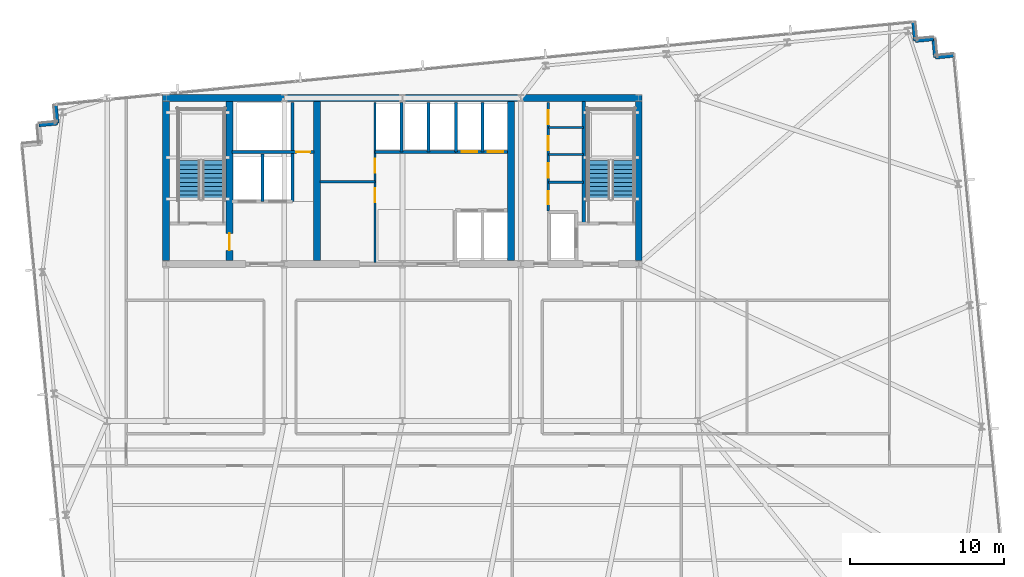
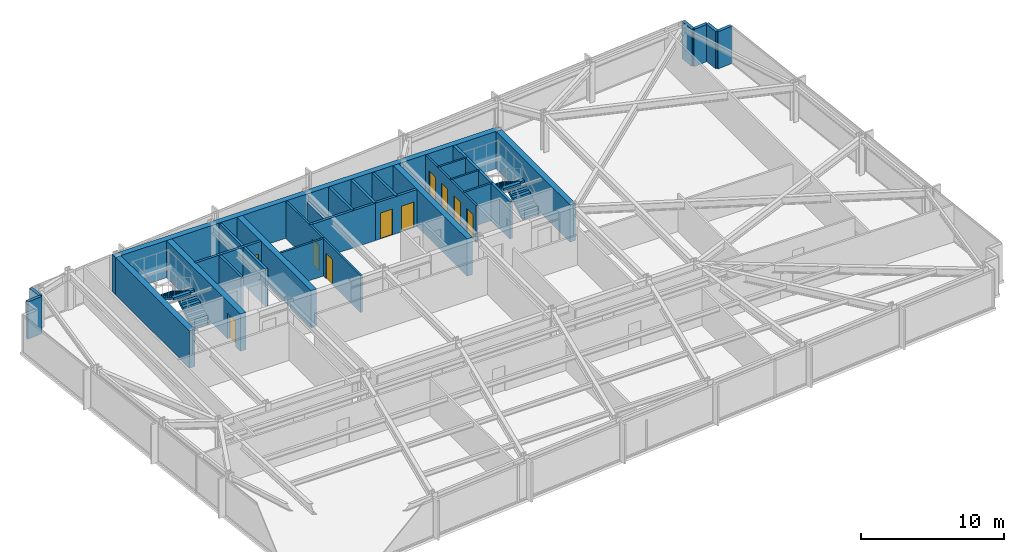
# One storey, part 26 of 32: 28 walls, 10 doors, 4 stair flights, 10 openings, 2 elements without a shape of their own.
"""IFC4 building model written with IfcOpenShell, lengths in metres."""

import ifcopenshell
import ifcopenshell.guid

model = None  # the IFC model being written
_history = None  # IfcOwnerHistory: only IFC2X3 demands one
_inside = {}  # id of a spatial element -> (the spatial element, [elements in it])
_under = {}  # id of a project, library or spatial element -> (it, [spatial elements below it])
_declared = {}  # id of a project -> (the project, [libraries it declares])
_typed = {}  # id of a type object -> (the type object, [elements of that type])
_made_of = {}  # id of a material, layer set ... -> (it, [elements and type objects made of it])


def new_model(schema):
    """Start an empty IFC model of exactly this schema.

    Asked for "IFC4X3", IfcOpenShell would pick the latest addendum, in which some entities
    have other attributes; the version numbers below select the first issue.
    IFC2X3 requires an IfcOwnerHistory on every rooted entity: one is made here for all.
    """
    global model, _history
    if schema == "IFC4X3":
        model = ifcopenshell.file(schema_version=(4, 3, 0, 0))
    else:
        model = ifcopenshell.file(schema=schema)
    _inside.clear()
    _under.clear()
    _declared.clear()
    _typed.clear()
    _made_of.clear()
    _history = None
    if model.schema == "IFC2X3":
        org = make("IfcOrganization", Name="unknown")
        user = make(
            "IfcPersonAndOrganization",
            ThePerson=make("IfcPerson", FamilyName="unknown"),
            TheOrganization=org,
        )
        app = make(
            "IfcApplication",
            ApplicationDeveloper=org,
            Version="unknown",
            ApplicationFullName="unknown",
            ApplicationIdentifier="unknown",
        )
        _history = make(
            "IfcOwnerHistory",
            OwningUser=user,
            OwningApplication=app,
            ChangeAction="ADDED",
            CreationDate=0,
        )
    return model


def make(cls, **values):
    """One entity of the class cls with the attributes given. An attribute that is None is left unset."""
    return model.create_entity(
        cls, **{name: value for name, value in values.items() if value is not None}
    )


def rooted(cls, **values):
    """An entity with a GlobalId (a new one), such as an element, a storey or a relation."""
    return make(cls, GlobalId=ifcopenshell.guid.new(), OwnerHistory=_history, **values)


def si_unit(unit_type, name, prefix=None):
    """IfcSIUnit, for example si_unit("LENGTHUNIT", "METRE", prefix="MILLI")."""
    return make("IfcSIUnit", UnitType=unit_type, Prefix=prefix, Name=name)


def assignment(units):
    """IfcUnitAssignment: the units of a project."""
    return None if units is None else make("IfcUnitAssignment", Units=units)


def point(xyz):
    """IfcCartesianPoint."""
    return None if xyz is None else make("IfcCartesianPoint", Coordinates=xyz)


def direction(xyz):
    """IfcDirection."""
    return None if xyz is None else make("IfcDirection", DirectionRatios=xyz)


def frame(location, z_axis=None, x_axis=None):
    """IfcAxis2Placement3D, a coordinate frame: its origin and axes. An axis left out is left unset."""
    return make(
        "IfcAxis2Placement3D",
        Location=point(location),
        Axis=direction(z_axis),
        RefDirection=direction(x_axis),
    )


def frame_2d(location, x_axis=None):
    """IfcAxis2Placement2D, a coordinate frame in the plane: its origin and x axis."""
    return make(
        "IfcAxis2Placement2D", Location=point(location), RefDirection=direction(x_axis)
    )


def origin():
    """The frame at (0, 0, 0) with its axes left unset."""
    return frame((0.0, 0.0, 0.0))


def place(relative_to, where):
    """IfcLocalPlacement: puts the frame where relative to a parent placement (None: the world)."""
    return make(
        "IfcLocalPlacement", PlacementRelTo=relative_to, RelativePlacement=where
    )


def context(
    kind, dimensions, precision=None, world=None, true_north=None, identifier=None
):
    """IfcGeometricRepresentationContext, for example the 3D "Model" context."""
    return make(
        "IfcGeometricRepresentationContext",
        ContextIdentifier=identifier,
        ContextType=kind,
        CoordinateSpaceDimension=dimensions,
        Precision=precision,
        WorldCoordinateSystem=world,
        TrueNorth=true_north,
    )


def subcontext(parent, identifier, kind, view, scale=None):
    """IfcGeometricRepresentationSubContext, for example "Body" below "Model"."""
    return make(
        "IfcGeometricRepresentationSubContext",
        ContextIdentifier=identifier,
        ContextType=kind,
        ParentContext=parent,
        TargetScale=scale,
        TargetView=view,
    )


def project(units=None, contexts=None):
    """IfcProject with its units and contexts."""
    return rooted(
        "IfcProject",
        Name="project",
        RepresentationContexts=contexts,
        UnitsInContext=assignment(units),
    )


def spatial(cls, under=None, at=None, **own):
    """A site, building, storey or space (cls), placed at a placement, below another one or the project."""
    s = rooted(cls, ObjectPlacement=at, **own)
    if under is not None:
        _under.setdefault(under.id(), (under, []))[1].append(s)
    return s


def polyline(points):
    """IfcPolyline through the points."""
    return make("IfcPolyline", Points=[point(p) for p in points])


def profile(cls, at=None, kind="AREA", **sizes):
    """A parametric profile (cls). Its sizes go by their IFC names, for example OverallWidth=200.0."""
    return make(cls, ProfileType=kind, Position=at, **sizes)


def rectangle(**sizes):
    """IfcRectangleProfileDef."""
    return profile("IfcRectangleProfileDef", **sizes)


def outline(outer, holes=None, kind="AREA"):
    """IfcArbitraryClosedProfileDef: a profile drawn as a closed curve; with holes, ...WithVoids."""
    if holes is None:
        return make("IfcArbitraryClosedProfileDef", ProfileType=kind, OuterCurve=outer)
    return make(
        "IfcArbitraryProfileDefWithVoids",
        ProfileType=kind,
        OuterCurve=outer,
        InnerCurves=holes,
    )


def extrude(swept, where, along, depth):
    """IfcExtrudedAreaSolid: the profile swept, set in the frame where, extruded along a direction by depth."""
    return make(
        "IfcExtrudedAreaSolid",
        SweptArea=swept,
        Position=where,
        ExtrudedDirection=direction(along),
        Depth=depth,
    )


def shape(context_of_items, identifier, shape_type, items):
    """IfcShapeRepresentation: the items that make up one representation, for example the "Body"."""
    return make(
        "IfcShapeRepresentation",
        ContextOfItems=context_of_items,
        RepresentationIdentifier=identifier,
        RepresentationType=shape_type,
        Items=items,
    )


def material(Name=None, Category=None):
    """IfcMaterial."""
    return make("IfcMaterial", Name=Name, Category=Category)


def layer(
    of_material, thickness, ventilated=None, Name=None, Category=None, Priority=None
):
    """IfcMaterialLayer: one layer of a wall or slab, of a material (None: an air gap)."""
    return make(
        "IfcMaterialLayer",
        Material=of_material,
        LayerThickness=thickness,
        IsVentilated=ventilated,
        Name=Name,
        Category=Category,
        Priority=Priority,
    )


def layer_set(layers, Name=None):
    """IfcMaterialLayerSet."""
    return make("IfcMaterialLayerSet", MaterialLayers=layers, LayerSetName=Name)


def made_of(thing, what):
    """Note that an element or type object is made of a material, layer set ...; save() writes the relation."""
    if what is not None:
        _made_of.setdefault(what.id(), (what, []))[1].append(thing)
    return thing


def type_object(cls, material=None, **own):
    """A type object (cls), such as IfcWallType, which elements share."""
    return made_of(rooted(cls, **own), material)


def element(
    cls,
    number,
    at=None,
    inside=None,
    cuts=None,
    type_object=None,
    material=None,
    context=None,
    identifier="Body",
    shape_type=None,
    held_by="IfcProductDefinitionShape",
    body=None,
    shapes=None,
    **own,
):
    """One element of the class cls, such as IfcWall. Its Tag is "e" and its number.

    at: its placement. inside: the storey or other place that contains it. cuts: it is an
    opening in that element (IfcRelVoidsElement). A single representation is given by context,
    identifier, shape_type and body (its items); several are given by shapes. held_by: the class
    of the entity that holds the representations. save() writes the other relations.
    """
    e = rooted(cls, Tag="e%d" % number, ObjectPlacement=at, **own)
    if body is not None:
        shapes = [shape(context, identifier, shape_type, body)]
    if shapes is not None:
        e.Representation = make(held_by, Representations=shapes)
    if inside is not None:
        _inside.setdefault(inside.id(), (inside, []))[1].append(e)
    if cuts is not None:
        rooted(
            "IfcRelVoidsElement", RelatingBuildingElement=cuts, RelatedOpeningElement=e
        )
    if type_object is not None:
        _typed.setdefault(type_object.id(), (type_object, []))[1].append(e)
    return made_of(e, material)


def fill(opening, filler):
    """IfcRelFillsElement: the door or window that sits in an opening."""
    return rooted(
        "IfcRelFillsElement",
        RelatingOpeningElement=opening,
        RelatedBuildingElement=filler,
    )


def aggregate(whole, parts):
    """IfcRelAggregates: a whole, such as a stair, and the parts it consists of."""
    return rooted("IfcRelAggregates", RelatingObject=whole, RelatedObjects=parts)


def save(model, path):
    """Write the relations noted so far, then the file.

    IfcRelAggregates (storeys below a building ...), IfcRelContainedInSpatialStructure (elements
    in a storey), IfcRelDefinesByType, IfcRelAssociatesMaterial and IfcRelDeclares: one each for
    every whole, place, type object, material and project.
    """
    for whole, parts in _under.values():
        aggregate(whole, parts)
    for where, things in _inside.values():
        rooted(
            "IfcRelContainedInSpatialStructure",
            RelatedElements=things,
            RelatingStructure=where,
        )
    for kind, things in _typed.values():
        rooted("IfcRelDefinesByType", RelatedObjects=things, RelatingType=kind)
    for what, things in _made_of.values():
        rooted("IfcRelAssociatesMaterial", RelatedObjects=things, RelatingMaterial=what)
    for by, libraries in _declared.values():
        rooted("IfcRelDeclares", RelatingContext=by, RelatedDefinitions=libraries)
    model.write(path)


model = new_model("IFC4")

# Units and contexts
model_context = context("Model", 3, precision=1e-05, world=origin(), true_north=direction((0.0, 1.0)))
body_context = subcontext(model_context, "Body", "Model", "MODEL_VIEW")
ifc_project = project(units=[si_unit("LENGTHUNIT", "METRE"), si_unit("AREAUNIT", "SQUARE_METRE"), si_unit("VOLUMEUNIT", "CUBIC_METRE"), si_unit("PLANEANGLEUNIT", "RADIAN"), si_unit("MASSUNIT", "GRAM", prefix="KILO")], contexts=[model_context])

# Site, building, storey
site_placement = place(None, origin())
site = spatial("IfcSite", under=ifc_project, at=site_placement, CompositionType="ELEMENT")
building_placement = place(site_placement, origin())
building = spatial("IfcBuilding", under=site, at=building_placement, Name="Yelkora Congress Tower", CompositionType="ELEMENT")
storey_placement = place(building_placement, frame((0.0, 0.0, 96.5)))
storey = spatial("IfcBuildingStorey", under=building, at=storey_placement, Name="L25", CompositionType="ELEMENT", Elevation=96.5)

# Walls
ifc_material_1 = material(Name="Concrete C50/60", Category="concrete")
ifc_layer_1 = layer(ifc_material_1, 0.219970703125)
ifc_layer_set_1 = layer_set([ifc_layer_1], Name="Concrete C50/60")
wall_type_1 = type_object("IfcWallType", Name="WALL-CORE-INT-220", PredefinedType="SHEAR", material=ifc_layer_set_1)
wall_1_placement = place(storey_placement, frame((50.179931640625, 38.050048828125, 0.0), z_axis=(0.0, 0.0, 1.0), x_axis=(0.0, 1.0, 0.0)))
element("IfcWall", 1, at=wall_1_placement, inside=storey, type_object=wall_type_1, Name="L25 ST02 West Stair Shear Wall", PredefinedType="SHEAR", context=body_context, shape_type="SweptSolid", body=[
    extrude(rectangle(XDim=7.925048828125, YDim=0.219970703125, at=frame_2d((3.96240234375, 0.0))), origin(), (0.0, 0.0, 1.0), 3.179931640625),
])
ifc_material_2 = material(Name="Concrete C60/75", Category="concrete")
ifc_layer_2 = layer(ifc_material_2, 0.449951171875)
ifc_layer_set_2 = layer_set([ifc_layer_2], Name="Concrete C60/75")
wall_type_2 = type_object("IfcWallType", Name="WALL-CORE-INT-450", PredefinedType="SHEAR", material=ifc_layer_set_2)
wall_2_placement = place(storey_placement, frame((22.81494140625, 46.199951171875, 0.0), z_axis=(0.0, 0.0, 1.0), x_axis=(1.0, 0.0, 0.0)))
element("IfcWall", 2, at=wall_2_placement, inside=storey, type_object=wall_type_2, Name="L25 Rear Core North Shear Wall", PredefinedType="SHEAR", context=body_context, shape_type="SweptSolid", body=[
    extrude(rectangle(XDim=31.170166015625, YDim=0.449951171875, at=frame_2d((15.5849609375, 0.0))), origin(), (0.0, 0.0, 1.0), 3.179931640625),
])
wall_3_placement = place(storey_placement, frame((23.0400390625, 35.625, 0.0), z_axis=(0.0, 0.0, 1.0), x_axis=(0.0, 1.0, 0.0)))
element("IfcWall", 3, at=wall_3_placement, inside=storey, type_object=wall_type_2, Name="L25 Rear Core Cross Shear Wall W", PredefinedType="SHEAR", context=body_context, shape_type="SweptSolid", body=[
    extrude(rectangle(XDim=10.35009765625, YDim=0.449951171875, at=frame_2d((5.175048828125, 0.0))), origin(), (0.0, 0.0, 1.0), 3.179931640625),
])

# Wall, opening, door
wall_4_placement = place(storey_placement, frame((27.14990234375, 35.625, 0.0), z_axis=(0.0, 0.0, 1.0), x_axis=(0.0, 1.0, 0.0)))
wall_4 = element("IfcWall", 4, at=wall_4_placement, inside=storey, type_object=wall_type_2, Name="L25 Rear Core Cross Shear Wall C1", PredefinedType="SHEAR", context=body_context, shape_type="SweptSolid", body=[
    extrude(rectangle(XDim=10.35009765625, YDim=0.449951171875, at=frame_2d((5.175048828125, 0.0))), origin(), (0.0, 0.0, 1.0), 3.179931640625),
])
opening_1_placement = place(wall_4_placement, frame((0.675048828125, 0.0, 0.0)))
opening_1 = element("IfcOpeningElement", 5, at=opening_1_placement, cuts=wall_4, Name="Opening DR-110F9", PredefinedType="OPENING", context=body_context, shape_type="SweptSolid", body=[
    extrude(rectangle(XDim=1.10009765625, YDim=2.14990234375, at=frame_2d((0.550048828125, 1.074951171875))), frame((0.0, 0.23486328125, 0.0), z_axis=(0.0, -1.0, 0.0), x_axis=(1.0, 0.0, 0.0)), (0.0, 0.0, 1.0), 0.469970703125),
])
ifc_material_3 = material(Name="Galvanised steel fire door leaf", Category="steel")
door_type_1 = type_object("IfcDoorType", Name="DOOR-FD90-1100", OperationType="NOTDEFINED", PredefinedType="DOOR", material=ifc_material_3)
door_1_placement = place(opening_1_placement, origin())
door_1 = element("IfcDoor", 6, at=door_1_placement, inside=storey, type_object=door_type_1, Name="L25 Firefighting Stair Transfer Door", OperationType="SINGLE_SWING_LEFT", OverallHeight=2.14990234375, OverallWidth=1.10009765625, PredefinedType="DOOR", context=body_context, shape_type="SweptSolid", body=[
    extrude(rectangle(XDim=1.10009765625, YDim=2.14990234375, at=frame_2d((0.550048828125, 1.074951171875))), frame((0.0, 0.02490234375, 0.0), z_axis=(0.0, -1.0, 0.0), x_axis=(1.0, 0.0, 0.0)), (0.0, 0.0, 1.0), 0.050048828125),
])
fill(opening_1, door_1)

# Walls
for number, where, z_axis, x_axis, name in (
    (7, (32.85009765625, 35.625, 0.0), (0.0, 0.0, 1.0), (0.0, 1.0, 0.0), "L25 Rear Core Cross Shear Wall C2"),
    (8, (45.449951171875, 35.625, 0.0), (0.0, 0.0, 1.0), (0.0, 1.0, 0.0), "L25 Rear Core Cross Shear Wall C3"),
    (9, (53.760009765625, 35.625, 0.0), (0.0, 0.0, 1.0), (0.0, 1.0, 0.0), "L25 Rear Core Cross Shear Wall E"),
):
    element("IfcWall", number, at=place(storey_placement, frame(where, z_axis=z_axis, x_axis=x_axis)), inside=storey, type_object=wall_type_2, Name=name, PredefinedType="SHEAR", context=body_context, shape_type="SweptSolid", body=[
        extrude(rectangle(XDim=10.35009765625, YDim=0.449951171875, at=frame_2d((5.175048828125, 0.0))), origin(), (0.0, 0.0, 1.0), 3.179931640625),
    ])
ifc_material_4 = material(Name="Concrete C40/50", Category="concrete")
ifc_layer_3 = layer(ifc_material_4, 0.239990234375)
ifc_layer_set_3 = layer_set([ifc_layer_3], Name="Concrete C40/50")
wall_type_3 = type_object("IfcWallType", Name="WALL-EXT-LIMESTONE-240", PredefinedType="SOLIDWALL", material=ifc_layer_set_3)
for number, where, z_axis, x_axis, name in (
    (10, (14.7705078125, 44.436279296875, 0.0), (0.0, 0.0, 1.0), (0.995397091755, 0.095836473879, 0.0), "L25 Serrated Corner Limestone Pier 8"),
    (11, (15.96484375, 44.55126953125, 0.0), (0.0, 0.0, 1.0), (-0.095836473879, 0.995397091755, 0.0), "L25 Serrated Corner Limestone Pier 9"),
):
    element("IfcWall", number, at=place(storey_placement, frame(where, z_axis=z_axis, x_axis=x_axis)), inside=storey, type_object=wall_type_3, Name=name, PredefinedType="SOLIDWALL", context=body_context, shape_type="SweptSolid", body=[
        extrude(rectangle(XDim=1.199951171875, YDim=0.239990234375, at=frame_2d((0.60009765625, 0.0))), origin(), (0.0, 0.0, 1.0), 3.179931640625),
    ])
for number, where, z_axis, x_axis, name in (
    (12, (71.61181640625, 51.114990234375, 0.0), (0.0, 0.0, 1.0), (0.095817067274, -0.995398960025, 0.0), "L25 Serrated Corner Limestone Pier 11"),
    (13, (71.726806640625, 49.92041015625, 0.0), (0.0, 0.0, 1.0), (0.995398960025, 0.095817067274, 0.0), "L25 Serrated Corner Limestone Pier 12"),
    (14, (72.92138671875, 50.035400390625, 0.0), (0.0, 0.0, 1.0), (0.095817067274, -0.995398960025, 0.0), "L25 Serrated Corner Limestone Pier 13"),
    (15, (73.036376953125, 48.8408203125, 0.0), (0.0, 0.0, 1.0), (0.995379537303, 0.096018626938, 0.0), "L25 Serrated Corner Limestone Pier 14"),
):
    element("IfcWall", number, at=place(storey_placement, frame(where, z_axis=z_axis, x_axis=x_axis)), inside=storey, type_object=wall_type_3, Name=name, PredefinedType="SOLIDWALL", context=body_context, shape_type="SweptSolid", body=[
        extrude(rectangle(XDim=1.2001953125, YDim=0.239990234375, at=frame_2d((0.60009765625, 0.0))), origin(), (0.0, 0.0, 1.0), 3.179931640625),
    ])
ifc_material_5 = material(Name="Acoustic metal-stud gypsum partition", Category="gypsum")
ifc_layer_4 = layer(ifc_material_5, 0.14990234375)
ifc_layer_set_4 = layer_set([ifc_layer_4], Name="Acoustic metal-stud gypsum partition")
wall_type_4 = type_object("IfcWallType", Name="WALL-INT-150-NR", PredefinedType="PARTITIONING", material=ifc_layer_set_4)
for number, where, z_axis, x_axis, name in (
    (16, (47.8798828125, 40.719970703125, 0.0), (0.0, 0.0, 1.0), (1.0, 0.0, 0.0), "L25 Partition Wall 24"),
    (17, (47.8798828125, 42.52001953125, 0.0), (0.0, 0.0, 1.0), (1.0, 0.0, 0.0), "L25 Partition Wall 25"),
    (18, (47.8798828125, 44.280029296875, 0.0), (0.0, 0.0, 1.0), (1.0, 0.0, 0.0), "L25 Partition Wall 26"),
):
    element("IfcWall", number, at=place(storey_placement, frame(where, z_axis=z_axis, x_axis=x_axis)), inside=storey, type_object=wall_type_4, Name=name, PredefinedType="PARTITIONING", context=body_context, shape_type="SweptSolid", body=[
        extrude(rectangle(XDim=2.300048828125, YDim=0.14990234375, at=frame_2d((1.14990234375, 0.0))), origin(), (0.0, 0.0, 1.0), 3.179931640625),
    ])

# Wall, openings, doors
wall_5_placement = place(storey_placement, frame((47.8798828125, 38.85009765625, 0.0), z_axis=(0.0, 0.0, 1.0), x_axis=(0.0, 1.0, 0.0)))
wall_5 = element("IfcWall", 19, at=wall_5_placement, inside=storey, type_object=wall_type_4, Name="L25 Partition Wall 27", PredefinedType="PARTITIONING", context=body_context, shape_type="SweptSolid", body=[
    extrude(rectangle(XDim=7.06982421875, YDim=0.14990234375, at=frame_2d((3.534912109375, 0.0))), origin(), (0.0, 0.0, 1.0), 3.179931640625),
])
opening_2_placement = place(wall_5_placement, frame((0.449951171875, 0.0, 0.0)))
opening_2 = element("IfcOpeningElement", 20, at=opening_2_placement, cuts=wall_5, Name="Opening DR-085N", PredefinedType="OPENING", context=body_context, shape_type="SweptSolid", body=[
    extrude(rectangle(XDim=0.85009765625, YDim=2.14990234375, at=frame_2d((0.425048828125, 1.074951171875))), frame((0.0, 0.0849609375, 0.0), z_axis=(0.0, -1.0, 0.0), x_axis=(1.0, 0.0, 0.0)), (0.0, 0.0, 1.0), 0.169921875),
])
opening_3_placement = place(wall_5_placement, frame((2.14990234375, 0.0, 0.0)))
opening_3 = element("IfcOpeningElement", 21, at=opening_3_placement, cuts=wall_5, Name="Opening DR-095N", PredefinedType="OPENING", context=body_context, shape_type="SweptSolid", body=[
    extrude(rectangle(XDim=0.949951171875, YDim=2.14990234375, at=frame_2d((0.47509765625, 1.074951171875))), frame((0.0, 0.0849609375, 0.0), z_axis=(0.0, -1.0, 0.0), x_axis=(1.0, 0.0, 0.0)), (0.0, 0.0, 1.0), 0.169921875),
])
opening_4_placement = place(wall_5_placement, frame((3.949951171875, 0.0, 0.0)))
opening_4 = element("IfcOpeningElement", 22, at=opening_4_placement, cuts=wall_5, Name="Opening DR-090N", PredefinedType="OPENING", context=body_context, shape_type="SweptSolid", body=[
    extrude(rectangle(XDim=0.89990234375, YDim=2.14990234375, at=frame_2d((0.449951171875, 1.074951171875))), frame((0.0, 0.0849609375, 0.0), z_axis=(0.0, -1.0, 0.0), x_axis=(1.0, 0.0, 0.0)), (0.0, 0.0, 1.0), 0.169921875),
])
opening_5_placement = place(wall_5_placement, frame((5.64990234375, 0.0, 0.0)))
opening_5 = element("IfcOpeningElement", 23, at=opening_5_placement, cuts=wall_5, Name="Opening DR-090N", PredefinedType="OPENING", context=body_context, shape_type="SweptSolid", body=[
    extrude(rectangle(XDim=0.89990234375, YDim=2.14990234375, at=frame_2d((0.449951171875, 1.074951171875))), frame((0.0, 0.0849609375, 0.0), z_axis=(0.0, -1.0, 0.0), x_axis=(1.0, 0.0, 0.0)), (0.0, 0.0, 1.0), 0.169921875),
])
ifc_material_6 = material(Name="Laminate service store door leaf", Category="wood")
door_type_2 = type_object("IfcDoorType", Name="DOOR-INT-850", OperationType="NOTDEFINED", PredefinedType="DOOR", material=ifc_material_6)
door_2_placement = place(opening_2_placement, origin())
door_2 = element("IfcDoor", 24, at=door_2_placement, inside=storey, type_object=door_type_2, Name="L25 Janitor Room Door", OperationType="SINGLE_SWING_RIGHT", OverallHeight=2.14990234375, OverallWidth=0.85009765625, PredefinedType="DOOR", context=body_context, shape_type="SweptSolid", body=[
    extrude(rectangle(XDim=0.85009765625, YDim=2.14990234375, at=frame_2d((0.425048828125, 1.074951171875))), frame((0.0, 0.02490234375, 0.0), z_axis=(0.0, -1.0, 0.0), x_axis=(1.0, 0.0, 0.0)), (0.0, 0.0, 1.0), 0.050048828125),
])
fill(opening_2, door_2)
ifc_material_7 = material(Name="Moisture-resistant laminate door leaf", Category="wood")
door_type_3 = type_object("IfcDoorType", Name="DOOR-INT-900", OperationType="NOTDEFINED", PredefinedType="DOOR", material=ifc_material_7)
door_3_placement = place(opening_4_placement, origin())
door_3 = element("IfcDoor", 25, at=door_3_placement, inside=storey, type_object=door_type_3, Name="L25 Male WC Door", OperationType="SINGLE_SWING_RIGHT", OverallHeight=2.14990234375, OverallWidth=0.89990234375, PredefinedType="DOOR", context=body_context, shape_type="SweptSolid", body=[
    extrude(rectangle(XDim=0.89990234375, YDim=2.14990234375, at=frame_2d((0.449951171875, 1.074951171875))), frame((0.0, 0.02490234375, 0.0), z_axis=(0.0, -1.0, 0.0), x_axis=(1.0, 0.0, 0.0)), (0.0, 0.0, 1.0), 0.050048828125),
])
fill(opening_4, door_3)
door_4_placement = place(opening_5_placement, origin())
door_4 = element("IfcDoor", 26, at=door_4_placement, inside=storey, type_object=door_type_3, Name="L25 Female WC Door", OperationType="SINGLE_SWING_LEFT", OverallHeight=2.14990234375, OverallWidth=0.89990234375, PredefinedType="DOOR", context=body_context, shape_type="SweptSolid", body=[
    extrude(rectangle(XDim=0.89990234375, YDim=2.14990234375, at=frame_2d((0.449951171875, 1.074951171875))), frame((0.0, 0.02490234375, 0.0), z_axis=(0.0, -1.0, 0.0), x_axis=(1.0, 0.0, 0.0)), (0.0, 0.0, 1.0), 0.050048828125),
])
fill(opening_5, door_4)
ifc_material_8 = material(Name="Acoustic laminated timber office door", Category="wood")
door_type_4 = type_object("IfcDoorType", Name="DOOR-INT-950", OperationType="NOTDEFINED", PredefinedType="DOOR", material=ifc_material_8)
door_5_placement = place(opening_3_placement, origin())
door_5 = element("IfcDoor", 27, at=door_5_placement, inside=storey, type_object=door_type_4, Name="L25 Accessible WC Door", OperationType="SINGLE_SWING_LEFT", OverallHeight=2.14990234375, OverallWidth=0.949951171875, PredefinedType="DOOR", context=body_context, shape_type="SweptSolid", body=[
    extrude(rectangle(XDim=0.949951171875, YDim=2.14990234375, at=frame_2d((0.47509765625, 1.074951171875))), frame((0.0, 0.02490234375, 0.0), z_axis=(0.0, -1.0, 0.0), x_axis=(1.0, 0.0, 0.0)), (0.0, 0.0, 1.0), 0.050048828125),
])
fill(opening_3, door_5)

# Wall
ifc_material_9 = material(Name="Twin-stud fire-rated gypsum partition", Category="gypsum")
ifc_layer_5 = layer(ifc_material_9, 0.14990234375)
ifc_layer_set_5 = layer_set([ifc_layer_5], Name="Twin-stud fire-rated gypsum partition")
wall_type_5 = type_object("IfcWallType", Name="WALL-INT-150-R60", PredefinedType="PARTITIONING", material=ifc_layer_set_5)
wall_6_placement = place(storey_placement, frame((33.050048828125, 40.75, 0.0), z_axis=(0.0, 0.0, 1.0), x_axis=(1.0, 0.0, 0.0)))
element("IfcWall", 28, at=wall_6_placement, inside=storey, type_object=wall_type_5, Name="L25 Partition Wall 11", PredefinedType="PARTITIONING", context=body_context, shape_type="SweptSolid", body=[
    extrude(rectangle(XDim=3.570068359375, YDim=0.14990234375, at=frame_2d((1.78515625, 0.0))), origin(), (0.0, 0.0, 1.0), 3.179931640625),
])

# Wall, openings, doors
wall_7_placement = place(storey_placement, frame((36.6201171875, 35.5, 0.0), z_axis=(0.0, 0.0, 1.0), x_axis=(0.0, 1.0, 0.0)))
wall_7 = element("IfcWall", 29, at=wall_7_placement, inside=storey, type_object=wall_type_5, Name="L25 Partition Wall 12", PredefinedType="PARTITIONING", context=body_context, shape_type="SweptSolid", body=[
    extrude(rectangle(XDim=10.419921875, YDim=0.14990234375, at=frame_2d((5.2099609375, 0.0))), origin(), (0.0, 0.0, 1.0), 3.179931640625),
])
opening_6_placement = place(wall_7_placement, frame((3.919921875, 0.0, 0.0)))
opening_6 = element("IfcOpeningElement", 30, at=opening_6_placement, cuts=wall_7, Name="Opening DR-090F6", PredefinedType="OPENING", context=body_context, shape_type="SweptSolid", body=[
    extrude(rectangle(XDim=0.89990234375, YDim=2.14990234375, at=frame_2d((0.449951171875, 1.074951171875))), frame((0.0, 0.0849609375, 0.0), z_axis=(0.0, -1.0, 0.0), x_axis=(1.0, 0.0, 0.0)), (0.0, 0.0, 1.0), 0.169921875),
])
opening_7_placement = place(wall_7_placement, frame((5.85009765625, 0.0, 0.0)))
opening_7 = element("IfcOpeningElement", 31, at=opening_7_placement, cuts=wall_7, Name="Opening DR-090F6", PredefinedType="OPENING", context=body_context, shape_type="SweptSolid", body=[
    extrude(rectangle(XDim=0.89990234375, YDim=2.14990234375, at=frame_2d((0.449951171875, 1.074951171875))), frame((0.0, 0.0849609375, 0.0), z_axis=(0.0, -1.0, 0.0), x_axis=(1.0, 0.0, 0.0)), (0.0, 0.0, 1.0), 0.169921875),
])
ifc_material_10 = material(Name="Painted steel riser fire door leaf", Category="steel")
door_type_5 = type_object("IfcDoorType", Name="DOOR-FD60-900", OperationType="NOTDEFINED", PredefinedType="DOOR", material=ifc_material_10)
door_6_placement = place(opening_6_placement, origin())
door_6 = element("IfcDoor", 32, at=door_6_placement, inside=storey, type_object=door_type_5, Name="L25 Telecom Store Door", OperationType="SINGLE_SWING_LEFT", OverallHeight=2.14990234375, OverallWidth=0.89990234375, PredefinedType="DOOR", context=body_context, shape_type="SweptSolid", body=[
    extrude(rectangle(XDim=0.89990234375, YDim=2.14990234375, at=frame_2d((0.449951171875, 1.074951171875))), frame((0.0, 0.02490234375, 0.0), z_axis=(0.0, -1.0, 0.0), x_axis=(1.0, 0.0, 0.0)), (0.0, 0.0, 1.0), 0.050048828125),
])
fill(opening_6, door_6)
door_7_placement = place(opening_7_placement, origin())
door_7 = element("IfcDoor", 33, at=door_7_placement, inside=storey, type_object=door_type_5, Name="L25 Archive Store Door", OperationType="SINGLE_SWING_RIGHT", OverallHeight=2.14990234375, OverallWidth=0.89990234375, PredefinedType="DOOR", context=body_context, shape_type="SweptSolid", body=[
    extrude(rectangle(XDim=0.89990234375, YDim=2.14990234375, at=frame_2d((0.449951171875, 1.074951171875))), frame((0.0, 0.02490234375, 0.0), z_axis=(0.0, -1.0, 0.0), x_axis=(1.0, 0.0, 0.0)), (0.0, 0.0, 1.0), 0.050048828125),
])
fill(opening_7, door_7)

# Walls
ifc_material_11 = material(Name="Autoclaved aerated concrete blockwork", Category="masonry")
ifc_layer_6 = layer(ifc_material_11, 0.199951171875)
ifc_layer_set_6 = layer_set([ifc_layer_6], Name="Autoclaved aerated concrete blockwork")
wall_type_6 = type_object("IfcWallType", Name="WALL-INT-200-R120", PredefinedType="PARTITIONING", material=ifc_layer_set_6)
wall_8_placement = place(storey_placement, frame((29.300048828125, 39.47998046875, 0.0), z_axis=(0.0, 0.0, 1.0), x_axis=(0.0, 1.0, 0.0)))
element("IfcWall", 34, at=wall_8_placement, inside=storey, type_object=wall_type_6, Name="L25 Partition Wall 4", PredefinedType="PARTITIONING", context=body_context, shape_type="SweptSolid", body=[
    extrude(rectangle(XDim=3.070068359375, YDim=0.199951171875, at=frame_2d((1.53515625, 0.0))), origin(), (0.0, 0.0, 1.0), 3.179931640625),
])
wall_9_placement = place(storey_placement, frame((31.260009765625, 39.47998046875, 0.0), z_axis=(0.0, 0.0, 1.0), x_axis=(0.0, 1.0, 0.0)))
element("IfcWall", 35, at=wall_9_placement, inside=storey, type_object=wall_type_6, Name="L25 Partition Wall 5", PredefinedType="PARTITIONING", context=body_context, shape_type="SweptSolid", body=[
    extrude(rectangle(XDim=6.43994140625, YDim=0.199951171875, at=frame_2d((3.219970703125, 0.0))), origin(), (0.0, 0.0, 1.0), 3.179931640625),
])

# Wall, opening, door
wall_10_placement = place(storey_placement, frame((27.320068359375, 42.679931640625, 0.0), z_axis=(0.0, 0.0, 1.0), x_axis=(1.0, 0.0, 0.0)))
wall_10 = element("IfcWall", 36, at=wall_10_placement, inside=storey, type_object=wall_type_6, Name="L25 Smoke Riser South Wall", PredefinedType="PARTITIONING", context=body_context, shape_type="SweptSolid", body=[
    extrude(rectangle(XDim=5.329833984375, YDim=0.199951171875, at=frame_2d((2.6650390625, 0.0))), origin(), (0.0, 0.0, 1.0), 3.179931640625),
])
opening_8_placement = place(wall_10_placement, frame((4.179931640625, 0.0, 0.0)))
opening_8 = element("IfcOpeningElement", 37, at=opening_8_placement, cuts=wall_10, Name="Opening DR-090F6", PredefinedType="OPENING", context=body_context, shape_type="SweptSolid", body=[
    extrude(rectangle(XDim=0.89990234375, YDim=2.14990234375, at=frame_2d((0.449951171875, 1.074951171875))), frame((0.0, 0.10986328125, 0.0), z_axis=(0.0, -1.0, 0.0), x_axis=(1.0, 0.0, 0.0)), (0.0, 0.0, 1.0), 0.219970703125),
])
door_8_placement = place(opening_8_placement, origin())
door_8 = element("IfcDoor", 38, at=door_8_placement, inside=storey, type_object=door_type_5, Name="L25 Riser Access Door", OperationType="SINGLE_SWING_LEFT", OverallHeight=2.14990234375, OverallWidth=0.89990234375, PredefinedType="DOOR", context=body_context, shape_type="SweptSolid", body=[
    extrude(rectangle(XDim=0.89990234375, YDim=2.14990234375, at=frame_2d((0.449951171875, 1.074951171875))), frame((0.0, 0.02490234375, 0.0), z_axis=(0.0, -1.0, 0.0), x_axis=(1.0, 0.0, 0.0)), (0.0, 0.0, 1.0), 0.050048828125),
])
fill(opening_8, door_8)

# Walls
wall_11_placement = place(storey_placement, frame((36.60009765625, 42.699951171875, 0.0), z_axis=(0.0, 0.0, 1.0), x_axis=(1.0, 0.0, 0.0)))
element("IfcWall", 39, at=wall_11_placement, inside=storey, type_object=wall_type_6, Name="L25 Partition Wall 8", PredefinedType="PARTITIONING", context=body_context, shape_type="SweptSolid", body=[
    extrude(rectangle(XDim=5.25, YDim=0.199951171875, at=frame_2d((2.625, 0.0))), origin(), (0.0, 0.0, 1.0), 3.179931640625),
])
wall_12_placement = place(storey_placement, frame((38.35009765625, 42.699951171875, 0.0), z_axis=(0.0, 0.0, 1.0), x_axis=(0.0, 1.0, 0.0)))
element("IfcWall", 40, at=wall_12_placement, inside=storey, type_object=wall_type_6, Name="L25 Partition Wall 9", PredefinedType="PARTITIONING", context=body_context, shape_type="SweptSolid", body=[
    extrude(rectangle(XDim=3.219970703125, YDim=0.199951171875, at=frame_2d((1.60986328125, 0.0))), origin(), (0.0, 0.0, 1.0), 2.52490234375),
])
wall_13_placement = place(storey_placement, frame((40.10009765625, 42.699951171875, 0.0), z_axis=(0.0, 0.0, 1.0), x_axis=(0.0, 1.0, 0.0)))
element("IfcWall", 41, at=wall_13_placement, inside=storey, type_object=wall_type_6, Name="L25 Partition Wall 10", PredefinedType="PARTITIONING", context=body_context, shape_type="SweptSolid", body=[
    extrude(rectangle(XDim=3.219970703125, YDim=0.199951171875, at=frame_2d((1.60986328125, 0.0))), origin(), (0.0, 0.0, 1.0), 3.179931640625),
])

# Wall, openings, doors
wall_14_placement = place(storey_placement, frame((41.85009765625, 42.699951171875, 0.0), z_axis=(0.0, 0.0, 1.0), x_axis=(1.0, 0.0, 0.0)))
wall_14 = element("IfcWall", 42, at=wall_14_placement, inside=storey, type_object=wall_type_6, Name="L25 Partition Wall 14", PredefinedType="PARTITIONING", context=body_context, shape_type="SweptSolid", body=[
    extrude(rectangle(XDim=3.369873046875, YDim=0.199951171875, at=frame_2d((1.68505859375, 0.0))), origin(), (0.0, 0.0, 1.0), 3.179931640625),
])
opening_9_placement = place(wall_14_placement, frame((0.39990234375, 0.0, 0.0)))
opening_9 = element("IfcOpeningElement", 43, at=opening_9_placement, cuts=wall_14, Name="Opening LD-PS10", PredefinedType="OPENING", context=body_context, shape_type="SweptSolid", body=[
    extrude(rectangle(XDim=1.0, YDim=2.199951171875, at=frame_2d((0.5, 1.10009765625))), frame((0.0, 0.10986328125, 0.0), z_axis=(0.0, -1.0, 0.0), x_axis=(1.0, 0.0, 0.0)), (0.0, 0.0, 1.0), 0.219970703125),
])
opening_10_placement = place(wall_14_placement, frame((2.10009765625, 0.0, 0.0)))
opening_10 = element("IfcOpeningElement", 44, at=opening_10_placement, cuts=wall_14, Name="Opening LD-PS10", PredefinedType="OPENING", context=body_context, shape_type="SweptSolid", body=[
    extrude(rectangle(XDim=1.0, YDim=2.199951171875, at=frame_2d((0.5, 1.10009765625))), frame((0.0, 0.10986328125, 0.0), z_axis=(0.0, -1.0, 0.0), x_axis=(1.0, 0.0, 0.0)), (0.0, 0.0, 1.0), 0.219970703125),
])
ifc_material_12 = material(Name="Champagne stainless steel landing door", Category="steel")
door_type_6 = type_object("IfcDoorType", Name="DOOR-LIFT-PAS-1000", OperationType="DOUBLE_DOOR_SLIDING", PredefinedType="DOOR", material=ifc_material_12)
door_9_placement = place(opening_9_placement, origin())
door_9 = element("IfcDoor", 45, at=door_9_placement, inside=storey, type_object=door_type_6, Name="Lift Landing Door LF-P7 L25", OperationType="DOUBLE_DOOR_SLIDING", OverallHeight=2.199951171875, OverallWidth=1.0, PredefinedType="DOOR", context=body_context, shape_type="SweptSolid", body=[
    extrude(rectangle(XDim=1.0, YDim=2.199951171875, at=frame_2d((0.5, 1.10009765625))), frame((0.0, 0.02490234375, 0.0), z_axis=(0.0, -1.0, 0.0), x_axis=(1.0, 0.0, 0.0)), (0.0, 0.0, 1.0), 0.050048828125),
])
fill(opening_9, door_9)
door_10_placement = place(opening_10_placement, origin())
door_10 = element("IfcDoor", 46, at=door_10_placement, inside=storey, type_object=door_type_6, Name="Lift Landing Door LF-P8 L25", OperationType="DOUBLE_DOOR_SLIDING", OverallHeight=2.199951171875, OverallWidth=1.0, PredefinedType="DOOR", context=body_context, shape_type="SweptSolid", body=[
    extrude(rectangle(XDim=1.0, YDim=2.199951171875, at=frame_2d((0.5, 1.10009765625))), frame((0.0, 0.02490234375, 0.0), z_axis=(0.0, -1.0, 0.0), x_axis=(1.0, 0.0, 0.0)), (0.0, 0.0, 1.0), 0.050048828125),
])
fill(opening_10, door_10)

# Walls
for number, where, z_axis, x_axis, name in (
    (47, (43.60009765625, 42.699951171875, 0.0), (0.0, 0.0, 1.0), (0.0, 1.0, 0.0), "L25 Partition Wall 16"),
    (48, (41.8798828125, 42.699951171875, 0.0), (0.0, 0.0, 1.0), (0.0, 1.0, 0.0), "L25 Partition Wall 18"),
):
    element("IfcWall", number, at=place(storey_placement, frame(where, z_axis=z_axis, x_axis=x_axis)), inside=storey, type_object=wall_type_6, Name=name, PredefinedType="PARTITIONING", context=body_context, shape_type="SweptSolid", body=[
        extrude(rectangle(XDim=3.219970703125, YDim=0.199951171875, at=frame_2d((1.60986328125, 0.0))), origin(), (0.0, 0.0, 1.0), 3.179931640625),
    ])

# Stair, stair flights
stair_type = type_object("IfcStairType", Name="STAIR-HT-1420-R20-170", PredefinedType="HALF_TURN_STAIR", material=ifc_material_4)
stair_1_placement = place(storey_placement, origin())
stair_1 = element("IfcStair", 49, at=stair_1_placement, inside=storey, type_object=stair_type, Name="West Core Protected Exit Stair ST-01 (L25)", PredefinedType="HALF_TURN_STAIR")
stair_flight_type = type_object("IfcStairFlightType", Name="FLIGHT-1420-N10-R170-G280", PredefinedType="STRAIGHT", material=ifc_material_4)
stair_flight_1_placement = place(storey_placement, frame((26.110107421875, 39.60009765625, 0.0), z_axis=(0.0, 0.0, 1.0), x_axis=(0.0, 1.0, 0.0)))
stair_flight_1 = element("IfcStairFlight", 50, at=stair_flight_1_placement, type_object=stair_flight_type, Name="ST-01 L25 Flight 1", NumberOfRisers=10, NumberOfTreads=9, PredefinedType="STRAIGHT", RiserHeight=0.17, TreadLength=0.28, context=body_context, shape_type="SweptSolid", body=[
    extrude(outline(polyline([(0.0, 0.0), (0.0, 0.169921875), (0.280029296875, 0.169921875), (0.280029296875, 0.340087890625), (0.56005859375, 0.340087890625), (0.56005859375, 0.510009765625), (0.840087890625, 0.510009765625), (0.840087890625, 0.679931640625), (1.1201171875, 0.679931640625), (1.1201171875, 0.85009765625), (1.39990234375, 0.85009765625), (1.39990234375, 1.02001953125), (1.679931640625, 1.02001953125), (1.679931640625, 1.18994140625), (1.9599609375, 1.18994140625), (1.9599609375, 1.360107421875), (2.239990234375, 1.360107421875), (2.239990234375, 1.530029296875), (2.52001953125, 1.530029296875), (2.52001953125, 1.699951171875), (2.52001953125, 1.343017578125), (0.30810546875, 0.0), (0.0, 0.0)])), frame((0.0, 0.7099609375, 0.0), z_axis=(0.0, -1.0, 0.0), x_axis=(1.0, 0.0, 0.0)), (0.0, 0.0, 1.0), 1.419921875),
])
stair_flight_2_placement = place(storey_placement, frame((24.530029296875, 42.1201171875, 1.699951171875), z_axis=(0.0, 0.0, 1.0), x_axis=(0.0, -1.0, 0.0)))
stair_flight_2 = element("IfcStairFlight", 51, at=stair_flight_2_placement, type_object=stair_flight_type, Name="ST-01 L25 Flight 2", NumberOfRisers=10, NumberOfTreads=9, PredefinedType="STRAIGHT", RiserHeight=0.17, TreadLength=0.28, context=body_context, shape_type="SweptSolid", body=[
    extrude(outline(polyline([(0.0, 0.0), (0.0, 0.169921875), (0.280029296875, 0.169921875), (0.280029296875, 0.340087890625), (0.56005859375, 0.340087890625), (0.56005859375, 0.510009765625), (0.840087890625, 0.510009765625), (0.840087890625, 0.679931640625), (1.1201171875, 0.679931640625), (1.1201171875, 0.85009765625), (1.39990234375, 0.85009765625), (1.39990234375, 1.02001953125), (1.679931640625, 1.02001953125), (1.679931640625, 1.18994140625), (1.9599609375, 1.18994140625), (1.9599609375, 1.360107421875), (2.239990234375, 1.360107421875), (2.239990234375, 1.530029296875), (2.52001953125, 1.530029296875), (2.52001953125, 1.699951171875), (2.52001953125, 1.343017578125), (0.30810546875, 0.0), (0.0, 0.0)])), frame((0.0, 0.7099609375, 0.0), z_axis=(0.0, -1.0, 0.0), x_axis=(1.0, 0.0, 0.0)), (0.0, 0.0, 1.0), 1.419921875),
])
aggregate(stair_1, [stair_flight_1, stair_flight_2])

stair_2_placement = place(storey_placement, origin())
stair_2 = element("IfcStair", 52, at=stair_2_placement, inside=storey, type_object=stair_type, Name="East Core Protected Exit Stair ST-02 (L25)", PredefinedType="HALF_TURN_STAIR")
stair_flight_3_placement = place(storey_placement, frame((52.75, 39.60009765625, 0.0), z_axis=(0.0, 0.0, 1.0), x_axis=(0.0, 1.0, 0.0)))
stair_flight_3 = element("IfcStairFlight", 53, at=stair_flight_3_placement, type_object=stair_flight_type, Name="ST-02 L25 Flight 1", NumberOfRisers=10, NumberOfTreads=9, PredefinedType="STRAIGHT", RiserHeight=0.17, TreadLength=0.28, context=body_context, shape_type="SweptSolid", body=[
    extrude(outline(polyline([(0.0, 0.0), (0.0, 0.169921875), (0.280029296875, 0.169921875), (0.280029296875, 0.340087890625), (0.56005859375, 0.340087890625), (0.56005859375, 0.510009765625), (0.840087890625, 0.510009765625), (0.840087890625, 0.679931640625), (1.1201171875, 0.679931640625), (1.1201171875, 0.85009765625), (1.39990234375, 0.85009765625), (1.39990234375, 1.02001953125), (1.679931640625, 1.02001953125), (1.679931640625, 1.18994140625), (1.9599609375, 1.18994140625), (1.9599609375, 1.360107421875), (2.239990234375, 1.360107421875), (2.239990234375, 1.530029296875), (2.52001953125, 1.530029296875), (2.52001953125, 1.699951171875), (2.52001953125, 1.343017578125), (0.30810546875, 0.0), (0.0, 0.0)])), frame((0.0, 0.7099609375, 0.0), z_axis=(0.0, -1.0, 0.0), x_axis=(1.0, 0.0, 0.0)), (0.0, 0.0, 1.0), 1.419921875),
])
stair_flight_4_placement = place(storey_placement, frame((51.169921875, 42.1201171875, 1.699951171875), z_axis=(0.0, 0.0, 1.0), x_axis=(0.0, -1.0, 0.0)))
stair_flight_4 = element("IfcStairFlight", 54, at=stair_flight_4_placement, type_object=stair_flight_type, Name="ST-02 L25 Flight 2", NumberOfRisers=10, NumberOfTreads=9, PredefinedType="STRAIGHT", RiserHeight=0.17, TreadLength=0.28, context=body_context, shape_type="SweptSolid", body=[
    extrude(outline(polyline([(0.0, 0.0), (0.0, 0.169921875), (0.280029296875, 0.169921875), (0.280029296875, 0.340087890625), (0.56005859375, 0.340087890625), (0.56005859375, 0.510009765625), (0.840087890625, 0.510009765625), (0.840087890625, 0.679931640625), (1.1201171875, 0.679931640625), (1.1201171875, 0.85009765625), (1.39990234375, 0.85009765625), (1.39990234375, 1.02001953125), (1.679931640625, 1.02001953125), (1.679931640625, 1.18994140625), (1.9599609375, 1.18994140625), (1.9599609375, 1.360107421875), (2.239990234375, 1.360107421875), (2.239990234375, 1.530029296875), (2.52001953125, 1.530029296875), (2.52001953125, 1.699951171875), (2.52001953125, 1.343017578125), (0.30810546875, 0.0), (0.0, 0.0)])), frame((0.0, 0.7099609375, 0.0), z_axis=(0.0, -1.0, 0.0), x_axis=(1.0, 0.0, 0.0)), (0.0, 0.0, 1.0), 1.419921875),
])
aggregate(stair_2, [stair_flight_3, stair_flight_4])

save(model, "model.ifc")
